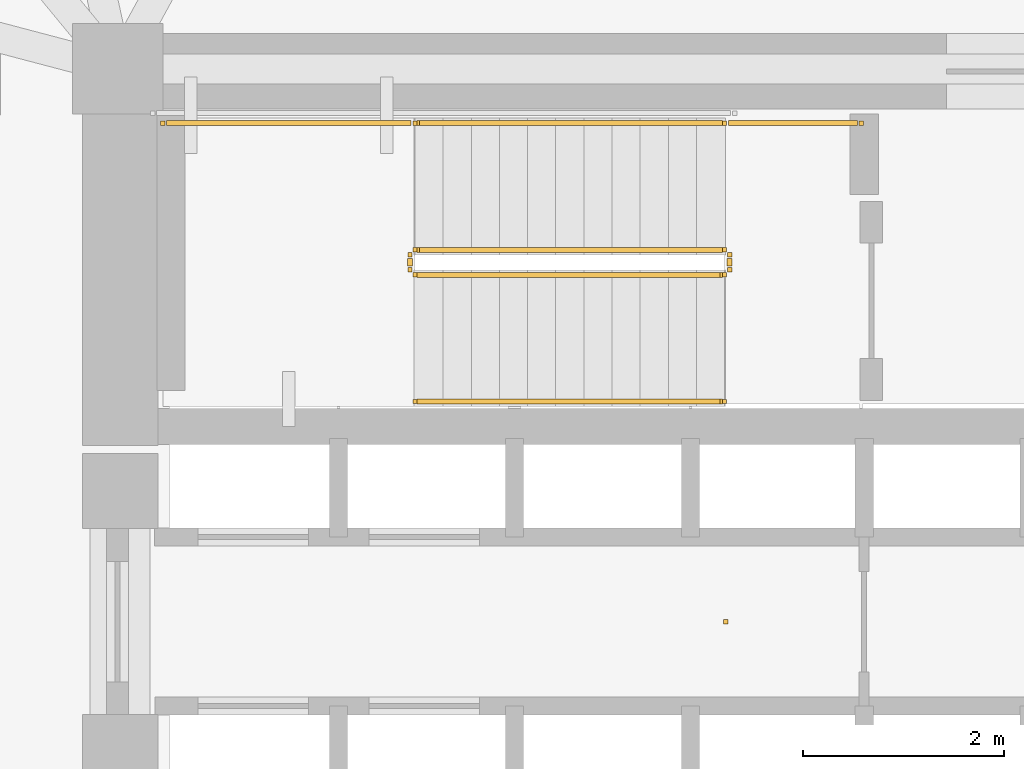
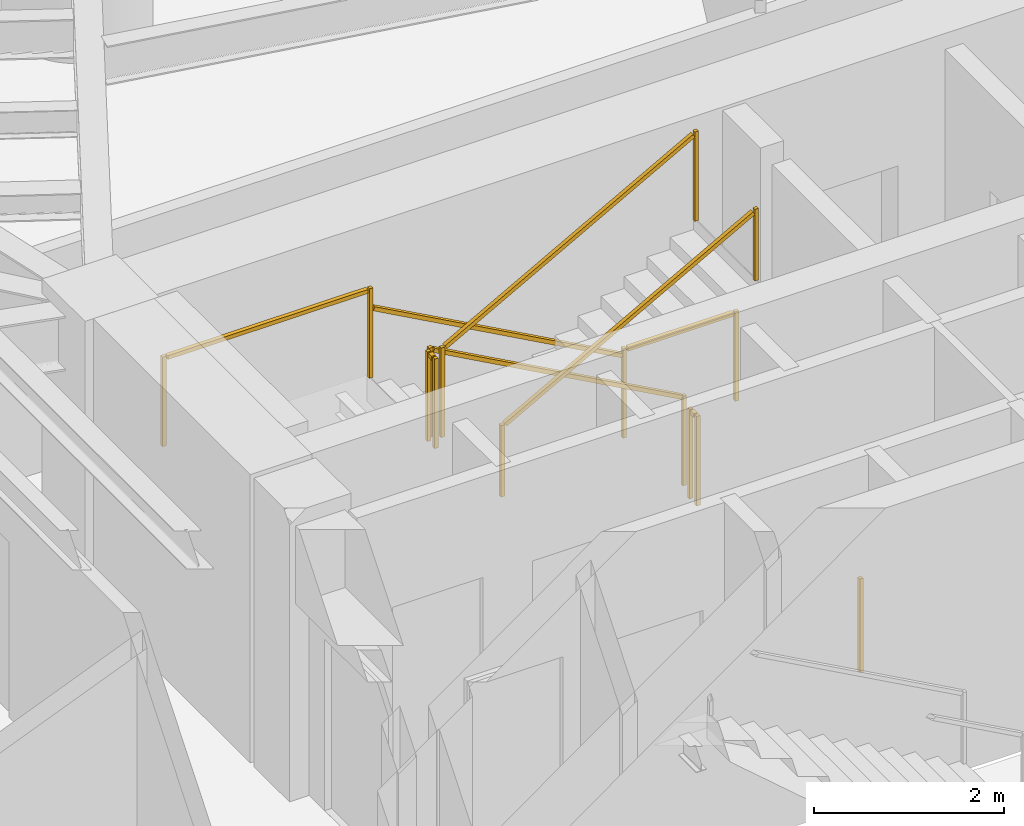
# One storey, part 9 of 10: 9 railings.
"""IFC4 building model written with IfcOpenShell, lengths in metres."""

import ifcopenshell
import ifcopenshell.guid

model = None  # the IFC model being written
_history = None  # IfcOwnerHistory: only IFC2X3 demands one
_inside = {}  # id of a spatial element -> (the spatial element, [elements in it])
_under = {}  # id of a project, library or spatial element -> (it, [spatial elements below it])
_declared = {}  # id of a project -> (the project, [libraries it declares])
_typed = {}  # id of a type object -> (the type object, [elements of that type])
_made_of = {}  # id of a material, layer set ... -> (it, [elements and type objects made of it])


def new_model(schema):
    """Start an empty IFC model of exactly this schema.

    Asked for "IFC4X3", IfcOpenShell would pick the latest addendum, in which some entities
    have other attributes; the version numbers below select the first issue.
    IFC2X3 requires an IfcOwnerHistory on every rooted entity: one is made here for all.
    """
    global model, _history
    if schema == "IFC4X3":
        model = ifcopenshell.file(schema_version=(4, 3, 0, 0))
    else:
        model = ifcopenshell.file(schema=schema)
    _inside.clear()
    _under.clear()
    _declared.clear()
    _typed.clear()
    _made_of.clear()
    _history = None
    if model.schema == "IFC2X3":
        org = make("IfcOrganization", Name="unknown")
        user = make(
            "IfcPersonAndOrganization",
            ThePerson=make("IfcPerson", FamilyName="unknown"),
            TheOrganization=org,
        )
        app = make(
            "IfcApplication",
            ApplicationDeveloper=org,
            Version="unknown",
            ApplicationFullName="unknown",
            ApplicationIdentifier="unknown",
        )
        _history = make(
            "IfcOwnerHistory",
            OwningUser=user,
            OwningApplication=app,
            ChangeAction="ADDED",
            CreationDate=0,
        )
    return model


def make(cls, **values):
    """One entity of the class cls with the attributes given. An attribute that is None is left unset."""
    return model.create_entity(
        cls, **{name: value for name, value in values.items() if value is not None}
    )


def rooted(cls, **values):
    """An entity with a GlobalId (a new one), such as an element, a storey or a relation."""
    return make(cls, GlobalId=ifcopenshell.guid.new(), OwnerHistory=_history, **values)


def si_unit(unit_type, name, prefix=None):
    """IfcSIUnit, for example si_unit("LENGTHUNIT", "METRE", prefix="MILLI")."""
    return make("IfcSIUnit", UnitType=unit_type, Prefix=prefix, Name=name)


def assignment(units):
    """IfcUnitAssignment: the units of a project."""
    return None if units is None else make("IfcUnitAssignment", Units=units)


def point(xyz):
    """IfcCartesianPoint."""
    return None if xyz is None else make("IfcCartesianPoint", Coordinates=xyz)


def direction(xyz):
    """IfcDirection."""
    return None if xyz is None else make("IfcDirection", DirectionRatios=xyz)


def frame(location, z_axis=None, x_axis=None):
    """IfcAxis2Placement3D, a coordinate frame: its origin and axes. An axis left out is left unset."""
    return make(
        "IfcAxis2Placement3D",
        Location=point(location),
        Axis=direction(z_axis),
        RefDirection=direction(x_axis),
    )


def frame_2d(location, x_axis=None):
    """IfcAxis2Placement2D, a coordinate frame in the plane: its origin and x axis."""
    return make(
        "IfcAxis2Placement2D", Location=point(location), RefDirection=direction(x_axis)
    )


def origin():
    """The frame at (0, 0, 0) with its axes left unset."""
    return frame((0.0, 0.0, 0.0))


def origin_2d():
    """The frame at (0, 0) in the plane with its x axis left unset."""
    return frame_2d((0.0, 0.0))


def place(relative_to, where):
    """IfcLocalPlacement: puts the frame where relative to a parent placement (None: the world)."""
    return make(
        "IfcLocalPlacement", PlacementRelTo=relative_to, RelativePlacement=where
    )


def context(
    kind, dimensions, precision=None, world=None, true_north=None, identifier=None
):
    """IfcGeometricRepresentationContext, for example the 3D "Model" context."""
    return make(
        "IfcGeometricRepresentationContext",
        ContextIdentifier=identifier,
        ContextType=kind,
        CoordinateSpaceDimension=dimensions,
        Precision=precision,
        WorldCoordinateSystem=world,
        TrueNorth=true_north,
    )


def subcontext(parent, identifier, kind, view, scale=None):
    """IfcGeometricRepresentationSubContext, for example "Body" below "Model"."""
    return make(
        "IfcGeometricRepresentationSubContext",
        ContextIdentifier=identifier,
        ContextType=kind,
        ParentContext=parent,
        TargetScale=scale,
        TargetView=view,
    )


def project(units=None, contexts=None):
    """IfcProject with its units and contexts."""
    return rooted(
        "IfcProject",
        Name="project",
        RepresentationContexts=contexts,
        UnitsInContext=assignment(units),
    )


def spatial(cls, under=None, at=None, **own):
    """A site, building, storey or space (cls), placed at a placement, below another one or the project."""
    s = rooted(cls, ObjectPlacement=at, **own)
    if under is not None:
        _under.setdefault(under.id(), (under, []))[1].append(s)
    return s


def profile(cls, at=None, kind="AREA", **sizes):
    """A parametric profile (cls). Its sizes go by their IFC names, for example OverallWidth=200.0."""
    return make(cls, ProfileType=kind, Position=at, **sizes)


def rectangle(**sizes):
    """IfcRectangleProfileDef."""
    return profile("IfcRectangleProfileDef", **sizes)


def extrude(swept, where, along, depth):
    """IfcExtrudedAreaSolid: the profile swept, set in the frame where, extruded along a direction by depth."""
    return make(
        "IfcExtrudedAreaSolid",
        SweptArea=swept,
        Position=where,
        ExtrudedDirection=direction(along),
        Depth=depth,
    )


def shape(context_of_items, identifier, shape_type, items):
    """IfcShapeRepresentation: the items that make up one representation, for example the "Body"."""
    return make(
        "IfcShapeRepresentation",
        ContextOfItems=context_of_items,
        RepresentationIdentifier=identifier,
        RepresentationType=shape_type,
        Items=items,
    )


def material(Name=None, Category=None):
    """IfcMaterial."""
    return make("IfcMaterial", Name=Name, Category=Category)


def made_of(thing, what):
    """Note that an element or type object is made of a material, layer set ...; save() writes the relation."""
    if what is not None:
        _made_of.setdefault(what.id(), (what, []))[1].append(thing)
    return thing


def type_object(cls, material=None, **own):
    """A type object (cls), such as IfcWallType, which elements share."""
    return made_of(rooted(cls, **own), material)


def element(
    cls,
    number,
    at=None,
    inside=None,
    cuts=None,
    type_object=None,
    material=None,
    context=None,
    identifier="Body",
    shape_type=None,
    held_by="IfcProductDefinitionShape",
    body=None,
    shapes=None,
    **own,
):
    """One element of the class cls, such as IfcWall. Its Tag is "e" and its number.

    at: its placement. inside: the storey or other place that contains it. cuts: it is an
    opening in that element (IfcRelVoidsElement). A single representation is given by context,
    identifier, shape_type and body (its items); several are given by shapes. held_by: the class
    of the entity that holds the representations. save() writes the other relations.
    """
    e = rooted(cls, Tag="e%d" % number, ObjectPlacement=at, **own)
    if body is not None:
        shapes = [shape(context, identifier, shape_type, body)]
    if shapes is not None:
        e.Representation = make(held_by, Representations=shapes)
    if inside is not None:
        _inside.setdefault(inside.id(), (inside, []))[1].append(e)
    if cuts is not None:
        rooted(
            "IfcRelVoidsElement", RelatingBuildingElement=cuts, RelatedOpeningElement=e
        )
    if type_object is not None:
        _typed.setdefault(type_object.id(), (type_object, []))[1].append(e)
    return made_of(e, material)


def aggregate(whole, parts):
    """IfcRelAggregates: a whole, such as a stair, and the parts it consists of."""
    return rooted("IfcRelAggregates", RelatingObject=whole, RelatedObjects=parts)


def save(model, path):
    """Write the relations noted so far, then the file.

    IfcRelAggregates (storeys below a building ...), IfcRelContainedInSpatialStructure (elements
    in a storey), IfcRelDefinesByType, IfcRelAssociatesMaterial and IfcRelDeclares: one each for
    every whole, place, type object, material and project.
    """
    for whole, parts in _under.values():
        aggregate(whole, parts)
    for where, things in _inside.values():
        rooted(
            "IfcRelContainedInSpatialStructure",
            RelatedElements=things,
            RelatingStructure=where,
        )
    for kind, things in _typed.values():
        rooted("IfcRelDefinesByType", RelatedObjects=things, RelatingType=kind)
    for what, things in _made_of.values():
        rooted("IfcRelAssociatesMaterial", RelatedObjects=things, RelatingMaterial=what)
    for by, libraries in _declared.values():
        rooted("IfcRelDeclares", RelatingContext=by, RelatedDefinitions=libraries)
    model.write(path)


model = new_model("IFC4")

# Units and contexts
model_context = context("Model", 3, precision=1e-05, world=origin(), true_north=direction((0.0, 1.0)))
body_context = subcontext(model_context, "Body", "Model", "MODEL_VIEW")
ifc_project = project(units=[si_unit("LENGTHUNIT", "METRE"), si_unit("AREAUNIT", "SQUARE_METRE"), si_unit("VOLUMEUNIT", "CUBIC_METRE"), si_unit("PLANEANGLEUNIT", "RADIAN"), si_unit("MASSUNIT", "GRAM", prefix="KILO")], contexts=[model_context])

# Site, building, storey
site_placement = place(None, origin())
site = spatial("IfcSite", under=ifc_project, at=site_placement, CompositionType="ELEMENT")
building_placement = place(site_placement, origin())
building = spatial("IfcBuilding", under=site, at=building_placement, Name="Yunling Apex Tower", CompositionType="ELEMENT")
storey_placement = place(building_placement, frame((0.0, 0.0, 34.89990234375)))
storey = spatial("IfcBuildingStorey", under=building, at=storey_placement, Name="L10", CompositionType="ELEMENT", Elevation=34.89990234375)

# Railings
ifc_material_1 = material(Name="Bronze anodised aluminium", Category="aluminium")
railing_type_1 = type_object("IfcRailingType", Name="RL-BAL-1200", PredefinedType="BALUSTRADE", material=ifc_material_1)
railing_1_placement = place(storey_placement, origin())
element("IfcRailing", 1, at=railing_1_placement, inside=storey, type_object=railing_type_1, Name="RL-TATR-L10", PredefinedType="BALUSTRADE", context=body_context, shape_type="SweptSolid", body=[
    extrude(rectangle(XDim=0.0439453125, YDim=0.0439453125, at=origin_2d()), origin(), (0.0, 0.0, 1.0), 1.199951171875),
])
ifc_material_2 = material(Name="Steel Q355B", Category="steel")
railing_type_2 = type_object("IfcRailingType", Name="RL-GRD-1150", PredefinedType="GUARDRAIL", material=ifc_material_2)
railing_2_placement = place(storey_placement, frame((-0.010009765625, 3.699951171875, 0.154296875)))
element("IfcRailing", 2, at=railing_2_placement, inside=storey, type_object=railing_type_2, Name="L10 ST-1 stair guard 1", PredefinedType="GUARDRAIL", context=body_context, shape_type="SweptSolid", body=[
    extrude(rectangle(XDim=0.0439453125, YDim=0.0439453125, at=origin_2d()), origin(), (0.0, 0.0, 1.0), 1.14990234375),
    extrude(rectangle(XDim=0.0439453125, YDim=0.0439453125, at=origin_2d()), frame((-3.080078125, 0.0, 1.69580078125)), (0.0, 0.0, 1.0), 1.14990234375),
    extrude(rectangle(XDim=0.050048828125, YDim=0.050048828125, at=origin_2d()), frame((-0.03369140625, 0.0, 1.143310546875), z_axis=(-0.876004717809, 0.0, 0.482302534076), x_axis=(0.0, -1.0, 0.0)), (0.0, 0.0, 1.0), 3.439453125),
])
railing_3_placement = place(storey_placement, frame((-3.139892578125, 3.64990234375, 1.85009765625)))
element("IfcRailing", 3, at=railing_3_placement, inside=storey, type_object=railing_type_2, Name="L10 ST-1 stair guard 2", PredefinedType="GUARDRAIL", context=body_context, shape_type="SweptSolid", body=[
    extrude(rectangle(XDim=0.0439453125, YDim=0.0439453125, at=origin_2d()), origin(), (0.0, 0.0, 1.0), 1.14990234375),
    extrude(rectangle(XDim=0.0439453125, YDim=0.0439453125, at=origin_2d()), frame((0.0, -0.14990234375, 0.0)), (0.0, 0.0, 1.0), 1.14990234375),
    extrude(rectangle(XDim=0.050048828125, YDim=0.050048828125, at=origin_2d()), frame((0.0, -0.038330078125, 1.125), z_axis=(0.0, -1.0, 0.0), x_axis=(1.0, 0.0, 0.0)), (0.0, 0.0, 1.0), 0.0732421875),
])
railing_4_placement = place(storey_placement, frame((-3.090087890625, 4.9599609375, 1.85009765625)))
element("IfcRailing", 4, at=railing_4_placement, inside=storey, type_object=railing_type_2, Name="L10 ST-1 stair guard 3", PredefinedType="GUARDRAIL", context=body_context, shape_type="SweptSolid", body=[
    extrude(rectangle(XDim=0.0439453125, YDim=0.0439453125, at=origin_2d()), origin(), (0.0, 0.0, 1.0), 1.14990234375),
    extrude(rectangle(XDim=0.0439453125, YDim=0.0439453125, at=origin_2d()), frame((-2.510009765625, 0.0, 0.0)), (0.0, 0.0, 1.0), 1.14990234375),
    extrude(rectangle(XDim=0.050048828125, YDim=0.050048828125, at=origin_2d()), frame((-0.038330078125, 0.0, 1.125), z_axis=(-1.0, 0.0, 0.0), x_axis=(0.0, -1.0, 0.0)), (0.0, 0.0, 1.0), 2.433349609375),
])
railing_5_placement = place(storey_placement, frame((-3.090087890625, 3.449951171875, 2.004150390625)))
element("IfcRailing", 5, at=railing_5_placement, inside=storey, type_object=railing_type_2, Name="L10 ST-1 stair guard 4", PredefinedType="GUARDRAIL", context=body_context, shape_type="SweptSolid", body=[
    extrude(rectangle(XDim=0.0439453125, YDim=0.0439453125, at=origin_2d()), origin(), (0.0, 0.0, 1.0), 1.14990234375),
    extrude(rectangle(XDim=0.0439453125, YDim=0.0439453125, at=origin_2d()), frame((3.080078125, 0.0, 1.696044921875)), (0.0, 0.0, 1.0), 1.14990234375),
    extrude(rectangle(XDim=0.050048828125, YDim=0.050048828125, at=origin_2d()), frame((0.03369140625, 0.0, 1.143310546875), z_axis=(0.875975380505, 0.0, 0.482355815502), x_axis=(0.0, 1.0, 0.0)), (0.0, 0.0, 1.0), 3.439453125),
])
railing_6_placement = place(storey_placement, frame((0.0400390625, 3.64990234375, 0.0)))
element("IfcRailing", 6, at=railing_6_placement, inside=storey, type_object=railing_type_2, Name="L10 ST-1 stair guard 5", PredefinedType="GUARDRAIL", context=body_context, shape_type="SweptSolid", body=[
    extrude(rectangle(XDim=0.0439453125, YDim=0.0439453125, at=origin_2d()), origin(), (0.0, 0.0, 1.0), 1.14990234375),
    extrude(rectangle(XDim=0.0439453125, YDim=0.0439453125, at=origin_2d()), frame((0.0, -0.14990234375, 0.0)), (0.0, 0.0, 1.0), 1.14990234375),
    extrude(rectangle(XDim=0.050048828125, YDim=0.050048828125, at=origin_2d()), frame((0.0, -0.038330078125, 1.125), z_axis=(0.0, -1.0, 0.0), x_axis=(1.0, 0.0, 0.0)), (0.0, 0.0, 1.0), 0.0732421875),
])
railing_7_placement = place(storey_placement, frame((1.35009765625, 4.9599609375, 0.0)))
element("IfcRailing", 7, at=railing_7_placement, inside=storey, type_object=railing_type_2, Name="L10 ST-1 stair guard 6", PredefinedType="GUARDRAIL", context=body_context, shape_type="SweptSolid", body=[
    extrude(rectangle(XDim=0.0439453125, YDim=0.0439453125, at=origin_2d()), origin(), (0.0, 0.0, 1.0), 1.14990234375),
    extrude(rectangle(XDim=0.0439453125, YDim=0.0439453125, at=origin_2d()), frame((-1.360107421875, 0.0, 0.0)), (0.0, 0.0, 1.0), 1.14990234375),
    extrude(rectangle(XDim=0.050048828125, YDim=0.050048828125, at=origin_2d()), frame((-0.038330078125, 0.0, 1.125), z_axis=(-1.0, 0.0, 0.0), x_axis=(0.0, -1.0, 0.0)), (0.0, 0.0, 1.0), 1.283447265625),
])
ifc_material_3 = material(Name="Silver anodised aluminium", Category="aluminium")
railing_type_3 = type_object("IfcRailingType", Name="RL-HND-900", PredefinedType="HANDRAIL", material=ifc_material_3)
railing_8_placement = place(storey_placement, frame((-0.010009765625, 4.9599609375, 0.154296875)))
element("IfcRailing", 8, at=railing_8_placement, inside=storey, type_object=railing_type_3, Name="L10 ST-1 stair handrail 1", PredefinedType="HANDRAIL", context=body_context, shape_type="SweptSolid", body=[
    extrude(rectangle(XDim=0.0439453125, YDim=0.0439453125, at=origin_2d()), origin(), (0.0, 0.0, 1.0), 0.919921875),
    extrude(rectangle(XDim=0.0439453125, YDim=0.0439453125, at=origin_2d()), frame((-3.080078125, 0.0, 1.69580078125)), (0.0, 0.0, 1.0), 0.919921875),
    extrude(rectangle(XDim=0.050048828125, YDim=0.050048828125, at=origin_2d()), frame((-0.03369140625, 0.0, 0.913330078125), z_axis=(-0.876004717809, 0.0, 0.482302534076), x_axis=(0.0, -1.0, 0.0)), (0.0, 0.0, 1.0), 3.439453125),
])
railing_9_placement = place(storey_placement, frame((-3.090087890625, 2.18994140625, 2.004150390625)))
element("IfcRailing", 9, at=railing_9_placement, inside=storey, type_object=railing_type_3, Name="L10 ST-1 stair handrail 2", PredefinedType="HANDRAIL", context=body_context, shape_type="SweptSolid", body=[
    extrude(rectangle(XDim=0.0439453125, YDim=0.0439453125, at=origin_2d()), origin(), (0.0, 0.0, 1.0), 0.919921875),
    extrude(rectangle(XDim=0.0439453125, YDim=0.0439453125, at=origin_2d()), frame((3.080078125, 0.0, 1.696044921875)), (0.0, 0.0, 1.0), 0.919921875),
    extrude(rectangle(XDim=0.050048828125, YDim=0.050048828125, at=origin_2d()), frame((0.03369140625, 0.0, 0.913330078125), z_axis=(0.875975380505, 0.0, 0.482355815502), x_axis=(0.0, 1.0, 0.0)), (0.0, 0.0, 1.0), 3.439453125),
])

save(model, "model.ifc")
